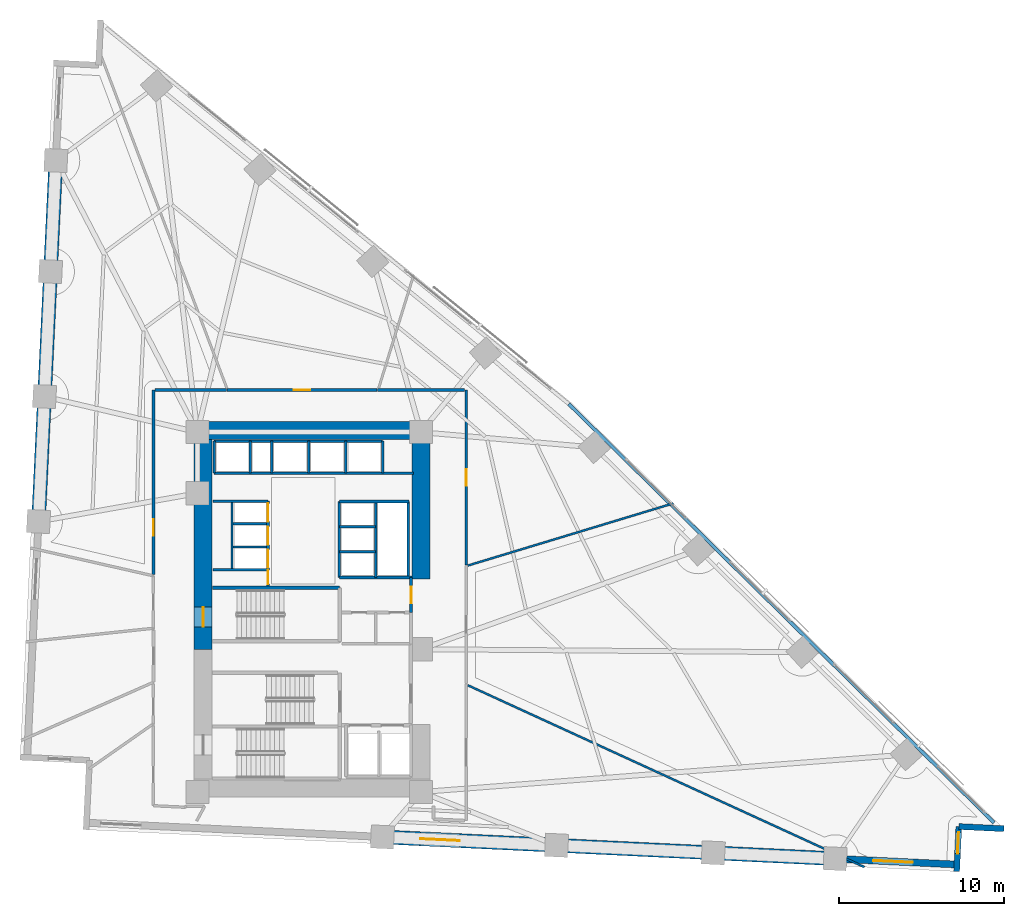
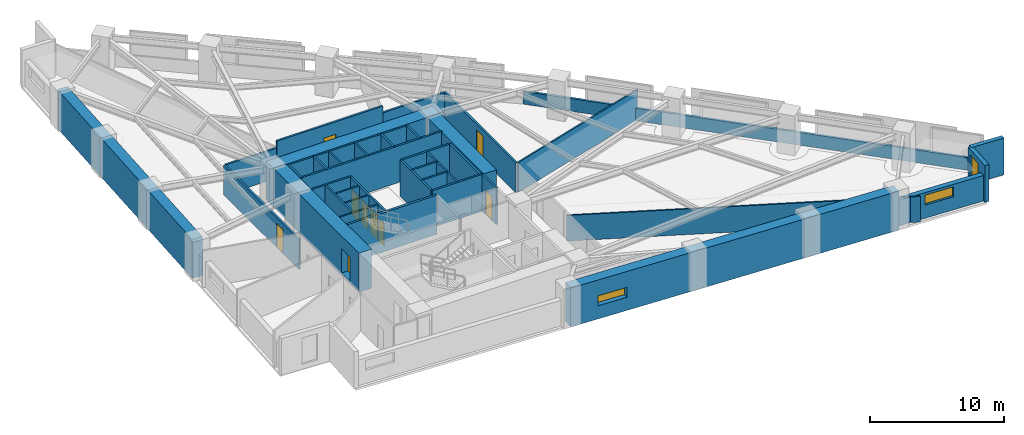
# One storey, part 15 of 18: 40 walls, 9 doors, 3 windows, 12 openings.
"""IFC4 building model written with IfcOpenShell, lengths in metres."""

from ifc_helpers import new_model, si_unit, direction, frame, frame_2d, origin, place, context, subcontext, project, spatial, rectangle, extrude, material, layer, layer_set, type_object, element, fill, save


model = new_model("IFC4")

# Units and contexts
model_context = context("Model", 3, precision=1e-05, world=origin(), true_north=direction((0.0, 1.0)))
body_context = subcontext(model_context, "Body", "Model", "MODEL_VIEW")
ifc_project = project(units=[si_unit("LENGTHUNIT", "METRE"), si_unit("AREAUNIT", "SQUARE_METRE"), si_unit("VOLUMEUNIT", "CUBIC_METRE"), si_unit("PLANEANGLEUNIT", "RADIAN"), si_unit("MASSUNIT", "GRAM", prefix="KILO")], contexts=[model_context])

# Site, building, storey
site_placement = place(None, origin())
site = spatial("IfcSite", under=ifc_project, at=site_placement, CompositionType="ELEMENT")
building_placement = place(site_placement, origin())
building = spatial("IfcBuilding", under=site, at=building_placement, Name="Narakoshi Arena Tower", CompositionType="ELEMENT")
storey_placement = place(building_placement, frame((0.0, 0.0, 44.699951171875)))
storey = spatial("IfcBuildingStorey", under=building, at=storey_placement, Name="L11", CompositionType="ELEMENT", Elevation=44.699951171875)

# Wall, opening, door
ifc_material_1 = material(Name="Concrete C60/75", Category="concrete")
ifc_layer_1 = layer(ifc_material_1, 1.10009765625)
ifc_layer_set_1 = layer_set([ifc_layer_1], Name="Concrete C60/75")
wall_type_1 = type_object("IfcWallType", Name="WL-CORE-1100", PredefinedType="SHEAR", material=ifc_layer_set_1)
wall_1_placement = place(storey_placement, frame((72.35009765625, 43.35009765625, -0.199951171875), z_axis=(0.0, 0.0, 1.0), x_axis=(0.0, 1.0, 0.0)))
wall_1 = element("IfcWall", 1, at=wall_1_placement, inside=storey, type_object=wall_type_1, Name="L11 Main Core Shear Wall CW-MN-W", PredefinedType="SHEAR", context=body_context, shape_type="SweptSolid", body=[
    extrude(rectangle(XDim=12.699951171875, YDim=1.10009765625, at=frame_2d((6.35009765625, 0.0))), origin(), (0.0, 0.0, 1.0), 3.5400390625),
])
opening_1_placement = place(wall_1_placement, frame((1.35009765625, 0.0, 0.199951171875)))
opening_1 = element("IfcOpeningElement", 2, at=opening_1_placement, cuts=wall_1, Name="Opening D-03", PredefinedType="OPENING", context=body_context, shape_type="SweptSolid", body=[
    extrude(rectangle(XDim=1.199951171875, YDim=2.199951171875, at=frame_2d((0.60009765625, 1.10009765625))), frame((0.0, 0.56005859375, 0.0), z_axis=(0.0, -1.0, 0.0), x_axis=(1.0, 0.0, 0.0)), (0.0, 0.0, 1.0), 1.1201171875),
])
ifc_material_2 = material(Name="Painted galvanized steel", Category="steel")
door_type_1 = type_object("IfcDoorType", Name="DR-STR-1200", OperationType="NOTDEFINED", PredefinedType="USERDEFINED", material=ifc_material_2)
door_1_placement = place(opening_1_placement, frame((1.199951171875, 0.0, 0.0), z_axis=(0.0, 0.0, 1.0), x_axis=(-1.0, 0.0, 0.0)))
door_1 = element("IfcDoor", 3, at=door_1_placement, inside=storey, type_object=door_type_1, Name="DR-L11-006", ObjectType="EXITDOOR", OperationType="SINGLE_SWING_LEFT", OverallHeight=2.199951171875, OverallWidth=1.199951171875, PredefinedType="USERDEFINED", context=body_context, shape_type="SweptSolid", body=[
    extrude(rectangle(XDim=1.199951171875, YDim=2.199951171875, at=frame_2d((0.60009765625, 1.10009765625))), frame((0.0, 0.02490234375, 0.0), z_axis=(0.0, -1.0, 0.0), x_axis=(1.0, 0.0, 0.0)), (0.0, 0.0, 1.0), 0.050048828125),
])
fill(opening_1, door_1)

# Walls
wall_2_placement = place(storey_placement, frame((71.800048828125, 56.60009765625, -0.199951171875), z_axis=(0.0, 0.0, 1.0), x_axis=(1.0, 0.0, 0.0)))
element("IfcWall", 4, at=wall_2_placement, inside=storey, type_object=wall_type_1, Name="L11 Main Core Shear Wall CW-MN-N", PredefinedType="SHEAR", context=body_context, shape_type="SweptSolid", body=[
    extrude(rectangle(XDim=14.300048828125, YDim=1.10009765625, at=frame_2d((7.14990234375, 0.0))), origin(), (0.0, 0.0, 1.0), 3.5400390625),
])
wall_3_placement = place(storey_placement, frame((85.550048828125, 47.60009765625, -0.199951171875), z_axis=(0.0, 0.0, 1.0), x_axis=(0.0, 1.0, 0.0)))
element("IfcWall", 5, at=wall_3_placement, inside=storey, type_object=wall_type_1, Name="L11 Main Core Shear Wall CW-MN-E", PredefinedType="SHEAR", context=body_context, shape_type="SweptSolid", body=[
    extrude(rectangle(XDim=8.449951171875, YDim=1.10009765625, at=frame_2d((4.22509765625, 0.0))), origin(), (0.0, 0.0, 1.0), 3.5400390625),
])

# Wall, opening, door
ifc_material_3 = material(Name="Gypsum plasterboard fire-rated partition")
ifc_layer_2 = layer(ifc_material_3, 0.1650390625)
ifc_layer_set_2 = layer_set([ifc_layer_2], Name="Gypsum plasterboard fire-rated partition")
wall_type_2 = type_object("IfcWallType", Name="WL-CORR-165", PredefinedType="PARTITIONING", material=ifc_layer_set_2)
wall_4_placement = place(storey_placement, frame((84.949951171875, 45.580078125, 0.0), z_axis=(0.0, 0.0, 1.0), x_axis=(0.0, 1.0, 0.0)))
wall_4 = element("IfcWall", 6, at=wall_4_placement, inside=storey, type_object=wall_type_2, Name="L11 Core Wall CPAS-E", PredefinedType="PARTITIONING", context=body_context, shape_type="SweptSolid", body=[
    extrude(rectangle(XDim=2.119873046875, YDim=0.1650390625, at=frame_2d((1.06005859375, 0.0))), origin(), (0.0, 0.0, 1.0), 3.340087890625),
])
opening_2_placement = place(wall_4_placement, frame((0.56005859375, 0.0, 0.0)))
opening_2 = element("IfcOpeningElement", 7, at=opening_2_placement, cuts=wall_4, Name="Opening D-06", PredefinedType="OPENING", context=body_context, shape_type="SweptSolid", body=[
    extrude(rectangle(XDim=1.0, YDim=2.199951171875, at=frame_2d((0.5, 1.10009765625))), frame((0.0, 0.092529296875, 0.0), z_axis=(0.0, -1.0, 0.0), x_axis=(1.0, 0.0, 0.0)), (0.0, 0.0, 1.0), 0.18505859375),
])
ifc_material_4 = material(Name="Stained oak solid-core timber", Category="wood")
door_type_2 = type_object("IfcDoorType", Name="DR-OFF-1000", OperationType="NOTDEFINED", PredefinedType="DOOR", material=ifc_material_4)
door_2_placement = place(opening_2_placement, frame((1.0, 0.0, 0.0), z_axis=(0.0, 0.0, 1.0), x_axis=(-1.0, 0.0, 0.0)))
door_2 = element("IfcDoor", 8, at=door_2_placement, inside=storey, type_object=door_type_2, Name="DR-L11-007", OperationType="SINGLE_SWING_LEFT", OverallHeight=2.199951171875, OverallWidth=1.0, PredefinedType="DOOR", context=body_context, shape_type="SweptSolid", body=[
    extrude(rectangle(XDim=1.0, YDim=2.199951171875, at=frame_2d((0.5, 1.10009765625))), frame((0.0, 0.02490234375, 0.0), z_axis=(0.0, -1.0, 0.0), x_axis=(1.0, 0.0, 0.0)), (0.0, 0.0, 1.0), 0.050048828125),
])
fill(opening_2, door_2)

wall_5_placement = place(storey_placement, frame((88.28759765625, 48.449951171875, 0.0), z_axis=(0.0, 0.0, 1.0), x_axis=(0.0, 1.0, 0.0)))
wall_5 = element("IfcWall", 9, at=wall_5_placement, inside=storey, type_object=wall_type_2, Name="L11 Corridor Partition 07-1", PredefinedType="PARTITIONING", context=body_context, shape_type="SweptSolid", body=[
    extrude(rectangle(XDim=10.610107421875, YDim=0.1650390625, at=frame_2d((5.30517578125, 0.0))), origin(), (0.0, 0.0, 1.0), 2.72509765625),
])
opening_3_placement = place(wall_5_placement, frame((4.80517578125, 0.0, 0.0)))
opening_3 = element("IfcOpeningElement", 10, at=opening_3_placement, cuts=wall_5, Name="Opening D-06", PredefinedType="OPENING", context=body_context, shape_type="SweptSolid", body=[
    extrude(rectangle(XDim=1.0, YDim=2.199951171875, at=frame_2d((0.5, 1.10009765625))), frame((0.0, 0.092529296875, 0.0), z_axis=(0.0, -1.0, 0.0), x_axis=(1.0, 0.0, 0.0)), (0.0, 0.0, 1.0), 0.18505859375),
])
door_3_placement = place(opening_3_placement, frame((1.0, 0.0, 0.0), z_axis=(0.0, 0.0, 1.0), x_axis=(-1.0, 0.0, 0.0)))
door_3 = element("IfcDoor", 11, at=door_3_placement, inside=storey, type_object=door_type_2, Name="DR-L11-020", OperationType="SINGLE_SWING_LEFT", OverallHeight=2.199951171875, OverallWidth=1.0, PredefinedType="DOOR", context=body_context, shape_type="SweptSolid", body=[
    extrude(rectangle(XDim=1.0, YDim=2.199951171875, at=frame_2d((0.5, 1.10009765625))), frame((0.0, 0.02490234375, 0.0), z_axis=(0.0, -1.0, 0.0), x_axis=(1.0, 0.0, 0.0)), (0.0, 0.0, 1.0), 0.050048828125),
])
fill(opening_3, door_3)

# Wall
wall_6_placement = place(storey_placement, frame((88.193115234375, 59.06005859375, 0.0), z_axis=(0.0, 0.0, 1.0), x_axis=(-1.0, 0.0, 0.0)))
element("IfcWall", 12, at=wall_6_placement, inside=storey, type_object=wall_type_2, Name="L11 Corridor Partition 07-2", PredefinedType="PARTITIONING", context=body_context, shape_type="SweptSolid", body=[
    extrude(rectangle(XDim=5.2783203125, YDim=0.1650390625, at=frame_2d((2.63916015625, 0.0))), origin(), (0.0, 0.0, 1.0), 2.72509765625),
])

# Wall, opening, door
wall_7_placement = place(storey_placement, frame((82.8896484375, 59.06005859375, 0.0), z_axis=(0.0, 0.0, 1.0), x_axis=(-1.0, 0.0, 0.0)))
wall_7 = element("IfcWall", 13, at=wall_7_placement, inside=storey, type_object=wall_type_2, Name="L11 Corridor Partition 08-1", PredefinedType="PARTITIONING", context=body_context, shape_type="SweptSolid", body=[
    extrude(rectangle(XDim=9.095947265625, YDim=0.1650390625, at=frame_2d((4.5478515625, 0.0))), origin(), (0.0, 0.0, 1.0), 3.340087890625),
])
opening_4_placement = place(wall_7_placement, frame((4.048095703125, 0.0, 0.0)))
opening_4 = element("IfcOpeningElement", 14, at=opening_4_placement, cuts=wall_7, Name="Opening D-06", PredefinedType="OPENING", context=body_context, shape_type="SweptSolid", body=[
    extrude(rectangle(XDim=1.0, YDim=2.199951171875, at=frame_2d((0.5, 1.10009765625))), frame((0.0, 0.092529296875, 0.0), z_axis=(0.0, -1.0, 0.0), x_axis=(1.0, 0.0, 0.0)), (0.0, 0.0, 1.0), 0.18505859375),
])
door_4_placement = place(opening_4_placement, frame((1.0, 0.0, 0.0), z_axis=(0.0, 0.0, 1.0), x_axis=(-1.0, 0.0, 0.0)))
door_4 = element("IfcDoor", 15, at=door_4_placement, inside=storey, type_object=door_type_2, Name="DR-L11-021", OperationType="SINGLE_SWING_RIGHT", OverallHeight=2.199951171875, OverallWidth=1.0, PredefinedType="DOOR", context=body_context, shape_type="SweptSolid", body=[
    extrude(rectangle(XDim=1.0, YDim=2.199951171875, at=frame_2d((0.5, 1.10009765625))), frame((0.0, 0.02490234375, 0.0), z_axis=(0.0, -1.0, 0.0), x_axis=(1.0, 0.0, 0.0)), (0.0, 0.0, 1.0), 0.050048828125),
])
fill(opening_4, door_4)

wall_8_placement = place(storey_placement, frame((69.340087890625, 59.06005859375, 0.0), z_axis=(0.0, 0.0, 1.0), x_axis=(0.0, -1.0, 0.0)))
wall_8 = element("IfcWall", 16, at=wall_8_placement, inside=storey, type_object=wall_type_2, Name="L11 Corridor Partition 09-1", PredefinedType="PARTITIONING", context=body_context, shape_type="SweptSolid", body=[
    extrude(rectangle(XDim=11.175537109375, YDim=0.1650390625, at=frame_2d((5.587890625, 0.0))), origin(), (0.0, 0.0, 1.0), 2.72509765625),
])
opening_5_placement = place(wall_8_placement, frame((7.82470703125, 0.0, 0.0)))
opening_5 = element("IfcOpeningElement", 17, at=opening_5_placement, cuts=wall_8, Name="Opening D-06", PredefinedType="OPENING", context=body_context, shape_type="SweptSolid", body=[
    extrude(rectangle(XDim=1.0, YDim=2.199951171875, at=frame_2d((0.5, 1.10009765625))), frame((0.0, 0.092529296875, 0.0), z_axis=(0.0, -1.0, 0.0), x_axis=(1.0, 0.0, 0.0)), (0.0, 0.0, 1.0), 0.18505859375),
])
door_5_placement = place(opening_5_placement, frame((1.0, 0.0, 0.0), z_axis=(0.0, 0.0, 1.0), x_axis=(-1.0, 0.0, 0.0)))
door_5 = element("IfcDoor", 18, at=door_5_placement, inside=storey, type_object=door_type_2, Name="DR-L11-022", OperationType="SINGLE_SWING_LEFT", OverallHeight=2.199951171875, OverallWidth=1.0, PredefinedType="DOOR", context=body_context, shape_type="SweptSolid", body=[
    extrude(rectangle(XDim=1.0, YDim=2.199951171875, at=frame_2d((0.5, 1.10009765625))), frame((0.0, 0.02490234375, 0.0), z_axis=(0.0, -1.0, 0.0), x_axis=(1.0, 0.0, 0.0)), (0.0, 0.0, 1.0), 0.050048828125),
])
fill(opening_5, door_5)

# Wall
wall_9_placement = place(storey_placement, frame((73.76806640625, 59.06005859375, 0.0), z_axis=(0.0, 0.0, 1.0), x_axis=(-1.0, 0.0, 0.0)))
element("IfcWall", 19, at=wall_9_placement, inside=storey, type_object=wall_type_2, Name="L11 Corridor Partition 09-2", PredefinedType="PARTITIONING", context=body_context, shape_type="SweptSolid", body=[
    extrude(rectangle(XDim=4.33349609375, YDim=0.1650390625, at=frame_2d((2.166748046875, 0.0))), origin(), (0.0, 0.0, 1.0), 2.72509765625),
])

# Wall, opening, window
ifc_layer_3 = layer(ifc_material_1, 0.85009765625)
ifc_layer_set_3 = layer_set([ifc_layer_3], Name="Concrete C60/75")
wall_type_3 = type_object("IfcWallType", Name="WL-LEG-850", PredefinedType="SHEAR", material=ifc_layer_set_3)
wall_10_placement = place(storey_placement, frame((83.2119140625, 31.979248046875, -0.199951171875), z_axis=(0.0, 0.0, 1.0), x_axis=(0.998848235141, -0.047981279227, 0.0)))
wall_10 = element("IfcWall", 20, at=wall_10_placement, inside=storey, type_object=wall_type_3, Name="L11 Architectural Concrete Structural Wall LEGA-2", PredefinedType="SHEAR", context=body_context, shape_type="SweptSolid", body=[
    extrude(rectangle(XDim=27.456298828125, YDim=0.85009765625, at=frame_2d((13.72802734375, 0.0))), origin(), (0.0, 0.0, 1.0), 3.5400390625),
])
opening_6_placement = place(wall_10_placement, frame((2.300048828125, 0.0, 1.199951171875)))
opening_6 = element("IfcOpeningElement", 21, at=opening_6_placement, cuts=wall_10, Name="Opening WN-01", PredefinedType="OPENING", context=body_context, shape_type="SweptSolid", body=[
    extrude(rectangle(XDim=2.39990234375, YDim=0.89990234375, at=frame_2d((1.199951171875, 0.449951171875))), frame((0.0, 0.43505859375, 0.0), z_axis=(0.0, -1.0, 0.0), x_axis=(1.0, 0.0, 0.0)), (0.0, 0.0, 1.0), 0.8701171875),
])
ifc_material_5 = material(Name="Bronze-tinted low-E laminated glass", Category="glass")
window_type_1 = type_object("IfcWindowType", Name="WIN-SLT-24x09", PartitioningType="SINGLE_PANEL", PredefinedType="WINDOW", material=ifc_material_5)
window_1_placement = place(opening_6_placement, origin())
window_1 = element("IfcWindow", 22, at=window_1_placement, inside=storey, type_object=window_type_1, Name="L11 LEGA2 Horizontal Slot Window 1", OverallHeight=0.89990234375, OverallWidth=2.39990234375, PartitioningType="SINGLE_PANEL", PredefinedType="WINDOW", context=body_context, shape_type="SweptSolid", body=[
    extrude(rectangle(XDim=2.39990234375, YDim=0.89990234375, at=frame_2d((1.199951171875, 0.449951171875))), frame((0.0, 0.030029296875, 0.0), z_axis=(0.0, -1.0, 0.0), x_axis=(1.0, 0.0, 0.0)), (0.0, 0.0, 1.0), 0.06005859375),
])
fill(opening_6, window_1)

# Walls
wall_11_placement = place(storey_placement, frame((63.42822265625, 72.95654296875, -0.199951171875), z_axis=(0.0, 0.0, 1.0), x_axis=(-0.047976309476, -0.998848473858, 0.0)))
element("IfcWall", 23, at=wall_11_placement, inside=storey, type_object=wall_type_3, Name="L11 Architectural Concrete Structural Wall LEGB-2", PredefinedType="SHEAR", context=body_context, shape_type="SweptSolid", body=[
    extrude(rectangle(XDim=21.891845703125, YDim=0.85009765625, at=frame_2d((10.94580078125, 0.0))), origin(), (0.0, 0.0, 1.0), 3.5400390625),
])
ifc_material_6 = material(Name="Precast concrete C45/55", Category="concrete")
ifc_layer_4 = layer(ifc_material_6, 0.25)
ifc_layer_set_4 = layer_set([ifc_layer_4], Name="Precast concrete C45/55")
wall_type_4 = type_object("IfcWallType", Name="WL-PARA-250", PredefinedType="PARAPET", material=ifc_layer_set_4)
wall_12_placement = place(storey_placement, frame((120.254150390625, 32.847900390625, 0.0), z_axis=(0.0, 0.0, 1.0), x_axis=(-0.71254385441, 0.701627576099, 0.0)))
element("IfcWall", 24, at=wall_12_placement, inside=storey, type_object=wall_type_4, Name="L11 Hypotenuse Sill Upstand Parapet 1-01", PredefinedType="PARAPET", context=body_context, shape_type="SweptSolid", body=[
    extrude(rectangle(XDim=36.1416015625, YDim=0.199951171875, at=frame_2d((18.07080078125, 0.0))), origin(), (0.0, 0.0, 1.0), 1.150146484375),
])
ifc_layer_5 = layer(ifc_material_3, 0.125)
ifc_layer_set_5 = layer_set([ifc_layer_5], Name="Gypsum plasterboard fire-rated partition")
wall_type_5 = type_object("IfcWallType", Name="WL-PART-125", PredefinedType="PARTITIONING", material=ifc_layer_set_5)
wall_13_placement = place(storey_placement, frame((88.382080078125, 41.170166015625, 0.0), z_axis=(0.0, 0.0, 1.0), x_axis=(0.908996896227, -0.416802882248, 0.0)))
element("IfcWall", 25, at=wall_13_placement, inside=storey, type_object=wall_type_5, Name="L11 Inter-Room Partition 05-06", PredefinedType="PARTITIONING", context=body_context, shape_type="SweptSolid", body=[
    extrude(rectangle(XDim=26.437744140625, YDim=0.125, at=frame_2d((13.21875, 0.0))), origin(), (0.0, 0.0, 1.0), 2.324951171875),
])
wall_14_placement = place(storey_placement, frame((88.382080078125, 48.41845703125, 0.0), z_axis=(0.0, 0.0, 1.0), x_axis=(0.957118216814, 0.289697633823, 0.0)))
element("IfcWall", 26, at=wall_14_placement, inside=storey, type_object=wall_type_5, Name="L11 Inter-Room Partition 06-07", PredefinedType="PARTITIONING", context=body_context, shape_type="SweptSolid", body=[
    extrude(rectangle(XDim=13.01611328125, YDim=0.125, at=frame_2d((6.508056640625, 0.0))), origin(), (0.0, 0.0, 1.0), 2.72509765625),
])

# Wall, opening, window
ifc_layer_6 = layer(ifc_material_6, 0.419921875)
ifc_layer_set_6 = layer_set([ifc_layer_6], Name="Precast concrete C45/55")
wall_type_6 = type_object("IfcWallType", Name="WL-POD-420", PredefinedType="SOLIDWALL", material=ifc_layer_set_6)
wall_15_placement = place(storey_placement, frame((110.636474609375, 30.661865234375, 0.0), z_axis=(0.0, 0.0, 1.0), x_axis=(0.998847872759, -0.047988822508, 0.0)))
wall_15 = element("IfcWall", 27, at=wall_15_placement, inside=storey, type_object=wall_type_6, Name="L11 Architectural Concrete Facade Wall LEGA-3", PredefinedType="SOLIDWALL", context=body_context, shape_type="SweptSolid", body=[
    extrude(rectangle(XDim=7.39208984375, YDim=0.419921875, at=frame_2d((3.696044921875, 0.0))), origin(), (0.0, 0.0, 1.0), 2.324951171875),
])
opening_7_placement = place(wall_15_placement, frame((2.300048828125, 0.0, 1.199951171875)))
opening_7 = element("IfcOpeningElement", 28, at=opening_7_placement, cuts=wall_15, Name="Opening WN-01", PredefinedType="OPENING", context=body_context, shape_type="SweptSolid", body=[
    extrude(rectangle(XDim=2.39990234375, YDim=0.89990234375, at=frame_2d((1.199951171875, 0.449951171875))), frame((0.0, 0.219970703125, 0.0), z_axis=(0.0, -1.0, 0.0), x_axis=(1.0, 0.0, 0.0)), (0.0, 0.0, 1.0), 0.43994140625),
])
window_2_placement = place(opening_7_placement, origin())
window_2 = element("IfcWindow", 29, at=window_2_placement, inside=storey, type_object=window_type_1, Name="L11 LEGA3 Horizontal Slot Window 1", OverallHeight=0.89990234375, OverallWidth=2.39990234375, PartitioningType="SINGLE_PANEL", PredefinedType="WINDOW", context=body_context, shape_type="SweptSolid", body=[
    extrude(rectangle(XDim=2.39990234375, YDim=0.89990234375, at=frame_2d((1.199951171875, 0.449951171875))), frame((0.0, 0.030029296875, 0.0), z_axis=(0.0, -1.0, 0.0), x_axis=(1.0, 0.0, 0.0)), (0.0, 0.0, 1.0), 0.06005859375),
])
fill(opening_7, window_2)

wall_16_placement = place(storey_placement, frame((117.99951171875, 29.8828125, 0.0), z_axis=(0.0, 0.0, 1.0), x_axis=(0.048024030708, 0.998846180588, 0.0)))
wall_16 = element("IfcWall", 30, at=wall_16_placement, inside=storey, type_object=wall_type_6, Name="L11 Re-Entrant Corner Notch Wall NTE-1", PredefinedType="SOLIDWALL", context=body_context, shape_type="SweptSolid", body=[
    extrude(rectangle(XDim=2.72998046875, YDim=0.360107421875, at=frame_2d((1.364990234375, 0.0))), origin(), (0.0, 0.0, 1.0), 3.340087890625),
])
opening_8_placement = place(wall_16_placement, frame((1.090087890625, 0.0, 0.449951171875)))
opening_8 = element("IfcOpeningElement", 31, at=opening_8_placement, cuts=wall_16, Name="Opening WN-06", PredefinedType="OPENING", context=body_context, shape_type="SweptSolid", body=[
    extrude(rectangle(XDim=1.300048828125, YDim=2.39990234375, at=frame_2d((0.64990234375, 1.199951171875))), frame((0.0, 0.18994140625, 0.0), z_axis=(0.0, -1.0, 0.0), x_axis=(1.0, 0.0, 0.0)), (0.0, 0.0, 1.0), 0.380126953125),
])
window_type_2 = type_object("IfcWindowType", Name="WIN-NTC-16x24", PartitioningType="SINGLE_PANEL", PredefinedType="WINDOW", material=ifc_material_5)
window_3_placement = place(opening_8_placement, origin())
window_3 = element("IfcWindow", 32, at=window_3_placement, inside=storey, type_object=window_type_2, Name="L11 Corner Notch Window NTE", OverallHeight=2.39990234375, OverallWidth=1.300048828125, PartitioningType="SINGLE_PANEL", PredefinedType="WINDOW", context=body_context, shape_type="SweptSolid", body=[
    extrude(rectangle(XDim=1.300048828125, YDim=2.39990234375, at=frame_2d((0.64990234375, 1.199951171875))), frame((0.0, 0.030029296875, 0.0), z_axis=(0.0, -1.0, 0.0), x_axis=(1.0, 0.0, 0.0)), (0.0, 0.0, 1.0), 0.06005859375),
])
fill(opening_8, window_3)

# Walls
wall_17_placement = place(storey_placement, frame((118.130615234375, 32.609619140625, 0.0), z_axis=(0.0, 0.0, 1.0), x_axis=(0.998846180588, -0.048024030708, 0.0)))
element("IfcWall", 33, at=wall_17_placement, inside=storey, type_object=wall_type_6, Name="L11 Re-Entrant Corner Notch Wall NTE-2", PredefinedType="SOLIDWALL", context=body_context, shape_type="SweptSolid", body=[
    extrude(rectangle(XDim=2.72998046875, YDim=0.360107421875, at=frame_2d((1.364990234375, 0.0))), origin(), (0.0, 0.0, 1.0), 3.340087890625),
])
ifc_material_7 = material(Name="Concrete C40/50", Category="concrete")
ifc_layer_7 = layer(ifc_material_7, 0.280029296875)
ifc_layer_set_7 = layer_set([ifc_layer_7], Name="Concrete C40/50")
wall_type_7 = type_object("IfcWallType", Name="WL-RISER-280", PredefinedType="PLUMBINGWALL", material=ifc_layer_set_7)
wall_18_placement = place(storey_placement, frame((72.949951171875, 48.159912109375, 0.0), z_axis=(0.0, 0.0, 1.0), x_axis=(1.0, 0.0, 0.0)))
element("IfcWall", 34, at=wall_18_placement, inside=storey, type_object=wall_type_7, Name="L11 Core Wall LR-S0", PredefinedType="PLUMBINGWALL", context=body_context, shape_type="SweptSolid", body=[
    extrude(rectangle(XDim=3.239990234375, YDim=0.139892578125, at=frame_2d((1.6201171875, 0.0))), origin(), (0.0, 0.0, 1.0), 3.340087890625),
])
for number, where, z_axis, x_axis, name in (
    (35, (74.14990234375, 49.550048828125, 0.0), (0.0, 0.0, 1.0), (1.0, 0.0, 0.0), "L11 Core Wall LR-D1"),
    (36, (74.14990234375, 50.949951171875, 0.0), (0.0, 0.0, 1.0), (1.0, 0.0, 0.0), "L11 Core Wall LR-D2"),
):
    element("IfcWall", number, at=place(storey_placement, frame(where, z_axis=z_axis, x_axis=x_axis)), inside=storey, type_object=wall_type_7, Name=name, PredefinedType="PLUMBINGWALL", context=body_context, shape_type="SweptSolid", body=[
        extrude(rectangle(XDim=2.0400390625, YDim=0.139892578125, at=frame_2d((1.02001953125, 0.0))), origin(), (0.0, 0.0, 1.0), 3.340087890625),
    ])
wall_19_placement = place(storey_placement, frame((74.10009765625, 48.159912109375, 0.0), z_axis=(0.0, 0.0, 1.0), x_axis=(0.0, 1.0, 0.0)))
element("IfcWall", 37, at=wall_19_placement, inside=storey, type_object=wall_type_7, Name="L11 Core Wall LR-W", PredefinedType="PLUMBINGWALL", context=body_context, shape_type="SweptSolid", body=[
    extrude(rectangle(XDim=4.16015625, YDim=0.139892578125, at=frame_2d((2.080078125, 0.0))), origin(), (0.0, 0.0, 1.0), 3.340087890625),
])
for number, where, z_axis, x_axis, name in (
    (38, (80.60009765625, 49.260009765625, 0.0), (0.0, 0.0, 1.0), (1.0, 0.0, 0.0), "L11 Core Wall MR-D1"),
    (39, (80.60009765625, 50.780029296875, 0.0), (0.0, 0.0, 1.0), (1.0, 0.0, 0.0), "L11 Core Wall MR-D2"),
):
    element("IfcWall", number, at=place(storey_placement, frame(where, z_axis=z_axis, x_axis=x_axis)), inside=storey, type_object=wall_type_7, Name=name, PredefinedType="PLUMBINGWALL", context=body_context, shape_type="SweptSolid", body=[
        extrude(rectangle(XDim=2.199951171875, YDim=0.14990234375, at=frame_2d((1.10009765625, 0.0))), origin(), (0.0, 0.0, 1.0), 3.340087890625),
    ])
wall_20_placement = place(storey_placement, frame((82.800048828125, 47.699951171875, 0.0), z_axis=(0.0, 0.0, 1.0), x_axis=(0.0, 1.0, 0.0)))
element("IfcWall", 40, at=wall_20_placement, inside=storey, type_object=wall_type_7, Name="L11 Core Wall MR-E", PredefinedType="PLUMBINGWALL", context=body_context, shape_type="SweptSolid", body=[
    extrude(rectangle(XDim=4.60009765625, YDim=0.14990234375, at=frame_2d((2.300048828125, 0.0))), origin(), (0.0, 0.0, 1.0), 3.340087890625),
])
for number, where, z_axis, x_axis, name in (
    (41, (73.02001953125, 54.02001953125, 0.0), (0.0, 0.0, 1.0), (0.0, 1.0, 0.0), "L11 Core Wall OBS-W"),
    (42, (75.219970703125, 54.02001953125, 0.0), (0.0, 0.0, 1.0), (0.0, 1.0, 0.0), "L11 Core Wall OBS-M"),
):
    element("IfcWall", number, at=place(storey_placement, frame(where, z_axis=z_axis, x_axis=x_axis)), inside=storey, type_object=wall_type_7, Name=name, PredefinedType="PLUMBINGWALL", context=body_context, shape_type="SweptSolid", body=[
        extrude(rectangle(XDim=1.93994140625, YDim=0.14990234375, at=frame_2d((0.969970703125, 0.0))), origin(), (0.0, 0.0, 1.0), 3.340087890625),
    ])
for number, where, z_axis, x_axis, name in (
    (43, (78.75, 54.02001953125, 0.0), (0.0, 0.0, 1.0), (0.0, 1.0, 0.0), "L11 Core Wall HR-D1"),
    (44, (81.0, 54.02001953125, 0.0), (0.0, 0.0, 1.0), (0.0, 1.0, 0.0), "L11 Core Wall HR-D2"),
):
    element("IfcWall", number, at=place(storey_placement, frame(where, z_axis=z_axis, x_axis=x_axis)), inside=storey, type_object=wall_type_7, Name=name, PredefinedType="PLUMBINGWALL", context=body_context, shape_type="SweptSolid", body=[
        extrude(rectangle(XDim=1.9599609375, YDim=0.14990234375, at=frame_2d((0.97998046875, 0.0))), origin(), (0.0, 0.0, 1.0), 3.340087890625),
    ])
ifc_material_8 = material(Name="Concrete C50/60", Category="concrete")
ifc_layer_8 = layer(ifc_material_8, 0.35009765625)
ifc_layer_set_8 = layer_set([ifc_layer_8], Name="Concrete C50/60")
wall_type_8 = type_object("IfcWallType", Name="WL-SHAFT-350", PredefinedType="SOLIDWALL", material=ifc_layer_set_8)
wall_21_placement = place(storey_placement, frame((72.919921875, 47.070068359375, -0.199951171875), z_axis=(0.0, 0.0, 1.0), x_axis=(1.0, 0.0, 0.0)))
element("IfcWall", 45, at=wall_21_placement, inside=storey, type_object=wall_type_8, Name="L11 Core Wall ST3-N", PredefinedType="SOLIDWALL", context=body_context, shape_type="SweptSolid", body=[
    extrude(rectangle(XDim=7.7001953125, YDim=0.199951171875, at=frame_2d((3.85009765625, 0.0))), origin(), (0.0, 0.0, 1.0), 3.5400390625),
])

# Wall, openings, doors
wall_22_placement = place(storey_placement, frame((76.280029296875, 47.179931640625, 0.0), z_axis=(0.0, 0.0, 1.0), x_axis=(0.0, 1.0, 0.0)))
wall_22 = element("IfcWall", 46, at=wall_22_placement, inside=storey, type_object=wall_type_8, Name="L11 Core Wall LR-E", PredefinedType="SOLIDWALL", context=body_context, shape_type="SweptSolid", body=[
    extrude(rectangle(XDim=5.14013671875, YDim=0.159912109375, at=frame_2d((2.570068359375, 0.0))), origin(), (0.0, 0.0, 1.0), 3.340087890625),
])
opening_9_placement = place(wall_22_placement, frame((1.10009765625, 0.0, 0.0)))
opening_9 = element("IfcOpeningElement", 47, at=opening_9_placement, cuts=wall_22, Name="Opening LD-01", PredefinedType="OPENING", context=body_context, shape_type="SweptSolid", body=[
    extrude(rectangle(XDim=1.10009765625, YDim=2.25, at=frame_2d((0.550048828125, 1.125))), frame((0.0, 0.08984375, 0.0), z_axis=(0.0, -1.0, 0.0), x_axis=(1.0, 0.0, 0.0)), (0.0, 0.0, 1.0), 0.179931640625),
])
opening_10_placement = place(wall_22_placement, frame((2.5, 0.0, 0.0)))
opening_10 = element("IfcOpeningElement", 48, at=opening_10_placement, cuts=wall_22, Name="Opening LD-01", PredefinedType="OPENING", context=body_context, shape_type="SweptSolid", body=[
    extrude(rectangle(XDim=1.10009765625, YDim=2.25, at=frame_2d((0.550048828125, 1.125))), frame((0.0, 0.08984375, 0.0), z_axis=(0.0, -1.0, 0.0), x_axis=(1.0, 0.0, 0.0)), (0.0, 0.0, 1.0), 0.179931640625),
])
opening_11_placement = place(wall_22_placement, frame((3.89990234375, 0.0, 0.0)))
opening_11 = element("IfcOpeningElement", 49, at=opening_11_placement, cuts=wall_22, Name="Opening LD-01", PredefinedType="OPENING", context=body_context, shape_type="SweptSolid", body=[
    extrude(rectangle(XDim=1.10009765625, YDim=2.25, at=frame_2d((0.550048828125, 1.125))), frame((0.0, 0.08984375, 0.0), z_axis=(0.0, -1.0, 0.0), x_axis=(1.0, 0.0, 0.0)), (0.0, 0.0, 1.0), 0.179931640625),
])
opening_12_placement = place(wall_22_placement, frame((0.1201171875, 0.0, 0.0)))
opening_12 = element("IfcOpeningElement", 50, at=opening_12_placement, cuts=wall_22, Name="Opening D-10", PredefinedType="OPENING", context=body_context, shape_type="SweptSolid", body=[
    extrude(rectangle(XDim=0.85009765625, YDim=2.050048828125, at=frame_2d((0.425048828125, 1.02490234375))), frame((0.0, 0.08984375, 0.0), z_axis=(0.0, -1.0, 0.0), x_axis=(1.0, 0.0, 0.0)), (0.0, 0.0, 1.0), 0.179931640625),
])
ifc_material_9 = material(Name="Brushed bronze stainless steel", Category="steel")
door_type_3 = type_object("IfcDoorType", Name="DR-LFT-1100", OperationType="DOUBLE_DOOR_SLIDING", PredefinedType="DOOR", material=ifc_material_9)
door_6_placement = place(opening_9_placement, origin())
door_6 = element("IfcDoor", 51, at=door_6_placement, inside=storey, type_object=door_type_3, Name="DR-L11-010", OperationType="DOUBLE_DOOR_SLIDING", OverallHeight=2.25, OverallWidth=1.10009765625, PredefinedType="DOOR", context=body_context, shape_type="SweptSolid", body=[
    extrude(rectangle(XDim=1.10009765625, YDim=2.25, at=frame_2d((0.550048828125, 1.125))), frame((0.0, 0.02490234375, 0.0), z_axis=(0.0, -1.0, 0.0), x_axis=(1.0, 0.0, 0.0)), (0.0, 0.0, 1.0), 0.050048828125),
])
fill(opening_9, door_6)
door_7_placement = place(opening_10_placement, origin())
door_7 = element("IfcDoor", 52, at=door_7_placement, inside=storey, type_object=door_type_3, Name="DR-L11-011", OperationType="DOUBLE_DOOR_SLIDING", OverallHeight=2.25, OverallWidth=1.10009765625, PredefinedType="DOOR", context=body_context, shape_type="SweptSolid", body=[
    extrude(rectangle(XDim=1.10009765625, YDim=2.25, at=frame_2d((0.550048828125, 1.125))), frame((0.0, 0.02490234375, 0.0), z_axis=(0.0, -1.0, 0.0), x_axis=(1.0, 0.0, 0.0)), (0.0, 0.0, 1.0), 0.050048828125),
])
fill(opening_10, door_7)
door_8_placement = place(opening_11_placement, origin())
door_8 = element("IfcDoor", 53, at=door_8_placement, inside=storey, type_object=door_type_3, Name="DR-L11-012", OperationType="DOUBLE_DOOR_SLIDING", OverallHeight=2.25, OverallWidth=1.10009765625, PredefinedType="DOOR", context=body_context, shape_type="SweptSolid", body=[
    extrude(rectangle(XDim=1.10009765625, YDim=2.25, at=frame_2d((0.550048828125, 1.125))), frame((0.0, 0.02490234375, 0.0), z_axis=(0.0, -1.0, 0.0), x_axis=(1.0, 0.0, 0.0)), (0.0, 0.0, 1.0), 0.050048828125),
])
fill(opening_11, door_8)
door_type_4 = type_object("IfcDoorType", Name="DR-RSR-850", OperationType="NOTDEFINED", PredefinedType="DOOR", material=ifc_material_2)
door_9_placement = place(opening_12_placement, frame((0.85009765625, 0.0, 0.0), z_axis=(0.0, 0.0, 1.0), x_axis=(-1.0, 0.0, 0.0)))
door_9 = element("IfcDoor", 54, at=door_9_placement, inside=storey, type_object=door_type_4, Name="DR-L11-013", OperationType="SINGLE_SWING_LEFT", OverallHeight=2.050048828125, OverallWidth=0.85009765625, PredefinedType="DOOR", context=body_context, shape_type="SweptSolid", body=[
    extrude(rectangle(XDim=0.85009765625, YDim=2.050048828125, at=frame_2d((0.425048828125, 1.02490234375))), frame((0.0, 0.02490234375, 0.0), z_axis=(0.0, -1.0, 0.0), x_axis=(1.0, 0.0, 0.0)), (0.0, 0.0, 1.0), 0.050048828125),
])
fill(opening_12, door_9)

# Walls
wall_23_placement = place(storey_placement, frame((72.949951171875, 52.320068359375, 0.0), z_axis=(0.0, 0.0, 1.0), x_axis=(1.0, 0.0, 0.0)))
element("IfcWall", 55, at=wall_23_placement, inside=storey, type_object=wall_type_8, Name="L11 Core Wall LR-N", PredefinedType="SOLIDWALL", context=body_context, shape_type="SweptSolid", body=[
    extrude(rectangle(XDim=3.330078125, YDim=0.14990234375, at=frame_2d((1.6650390625, 0.0))), origin(), (0.0, 0.0, 1.0), 3.340087890625),
])
wall_24_placement = place(storey_placement, frame((80.60009765625, 47.699951171875, 0.0), z_axis=(0.0, 0.0, 1.0), x_axis=(0.0, 1.0, 0.0)))
element("IfcWall", 56, at=wall_24_placement, inside=storey, type_object=wall_type_8, Name="L11 Core Wall MR-W", PredefinedType="SOLIDWALL", context=body_context, shape_type="SweptSolid", body=[
    extrude(rectangle(XDim=4.60009765625, YDim=0.159912109375, at=frame_2d((2.300048828125, 0.0))), origin(), (0.0, 0.0, 1.0), 3.340087890625),
])
wall_25_placement = place(storey_placement, frame((80.60009765625, 47.699951171875, 0.0), z_axis=(0.0, 0.0, 1.0), x_axis=(1.0, 0.0, 0.0)))
element("IfcWall", 57, at=wall_25_placement, inside=storey, type_object=wall_type_8, Name="L11 Core Wall MR-S", PredefinedType="SOLIDWALL", context=body_context, shape_type="SweptSolid", body=[
    extrude(rectangle(XDim=4.39990234375, YDim=0.159912109375, at=frame_2d((2.199951171875, 0.0))), origin(), (0.0, 0.0, 1.0), 3.340087890625),
])
wall_26_placement = place(storey_placement, frame((80.60009765625, 52.300048828125, 0.0), z_axis=(0.0, 0.0, 1.0), x_axis=(1.0, 0.0, 0.0)))
element("IfcWall", 58, at=wall_26_placement, inside=storey, type_object=wall_type_8, Name="L11 Core Wall MR-N", PredefinedType="SOLIDWALL", context=body_context, shape_type="SweptSolid", body=[
    extrude(rectangle(XDim=4.219970703125, YDim=0.159912109375, at=frame_2d((2.10986328125, 0.0))), origin(), (0.0, 0.0, 1.0), 3.340087890625),
])
wall_27_placement = place(storey_placement, frame((84.780029296875, 47.699951171875, 0.0), z_axis=(0.0, 0.0, 1.0), x_axis=(0.0, 1.0, 0.0)))
element("IfcWall", 59, at=wall_27_placement, inside=storey, type_object=wall_type_8, Name="L11 Core Wall MR-E2", PredefinedType="SOLIDWALL", context=body_context, shape_type="SweptSolid", body=[
    extrude(rectangle(XDim=4.60009765625, YDim=0.159912109375, at=frame_2d((2.300048828125, 0.0))), origin(), (0.0, 0.0, 1.0), 3.340087890625),
])
wall_28_placement = place(storey_placement, frame((73.02001953125, 54.02001953125, 0.0), z_axis=(0.0, 0.0, 1.0), x_axis=(1.0, 0.0, 0.0)))
element("IfcWall", 60, at=wall_28_placement, inside=storey, type_object=wall_type_8, Name="L11 Core Wall NSHF-S", PredefinedType="SOLIDWALL", context=body_context, shape_type="SweptSolid", body=[
    extrude(rectangle(XDim=12.080078125, YDim=0.159912109375, at=frame_2d((6.0400390625, 0.0))), origin(), (0.0, 0.0, 1.0), 3.340087890625),
])
wall_29_placement = place(storey_placement, frame((73.02001953125, 55.9599609375, 0.0), z_axis=(0.0, 0.0, 1.0), x_axis=(1.0, 0.0, 0.0)))
element("IfcWall", 61, at=wall_29_placement, inside=storey, type_object=wall_type_8, Name="L11 Core Wall OBS-N", PredefinedType="SOLIDWALL", context=body_context, shape_type="SweptSolid", body=[
    extrude(rectangle(XDim=3.5, YDim=0.14990234375, at=frame_2d((1.75, 0.0))), origin(), (0.0, 0.0, 1.0), 3.340087890625),
])
wall_30_placement = place(storey_placement, frame((76.52001953125, 54.02001953125, 0.0), z_axis=(0.0, 0.0, 1.0), x_axis=(0.0, 1.0, 0.0)))
element("IfcWall", 62, at=wall_30_placement, inside=storey, type_object=wall_type_8, Name="L11 Core Wall OBS-E", PredefinedType="SOLIDWALL", context=body_context, shape_type="SweptSolid", body=[
    extrude(rectangle(XDim=1.93994140625, YDim=0.14990234375, at=frame_2d((0.969970703125, 0.0))), origin(), (0.0, 0.0, 1.0), 3.340087890625),
])
wall_31_placement = place(storey_placement, frame((83.219970703125, 54.02001953125, 0.0), z_axis=(0.0, 0.0, 1.0), x_axis=(0.0, 1.0, 0.0)))
element("IfcWall", 63, at=wall_31_placement, inside=storey, type_object=wall_type_8, Name="L11 Core Wall HR-E", PredefinedType="SOLIDWALL", context=body_context, shape_type="SweptSolid", body=[
    extrude(rectangle(XDim=1.9599609375, YDim=0.14990234375, at=frame_2d((0.97998046875, 0.0))), origin(), (0.0, 0.0, 1.0), 3.340087890625),
])
wall_32_placement = place(storey_placement, frame((76.52001953125, 55.9599609375, 0.0), z_axis=(0.0, 0.0, 1.0), x_axis=(1.0, 0.0, 0.0)))
element("IfcWall", 64, at=wall_32_placement, inside=storey, type_object=wall_type_8, Name="L11 Core Wall HR-N", PredefinedType="SOLIDWALL", context=body_context, shape_type="SweptSolid", body=[
    extrude(rectangle(XDim=6.699951171875, YDim=0.14990234375, at=frame_2d((3.35009765625, 0.0))), origin(), (0.0, 0.0, 1.0), 3.340087890625),
])

save(model, "model.ifc")
